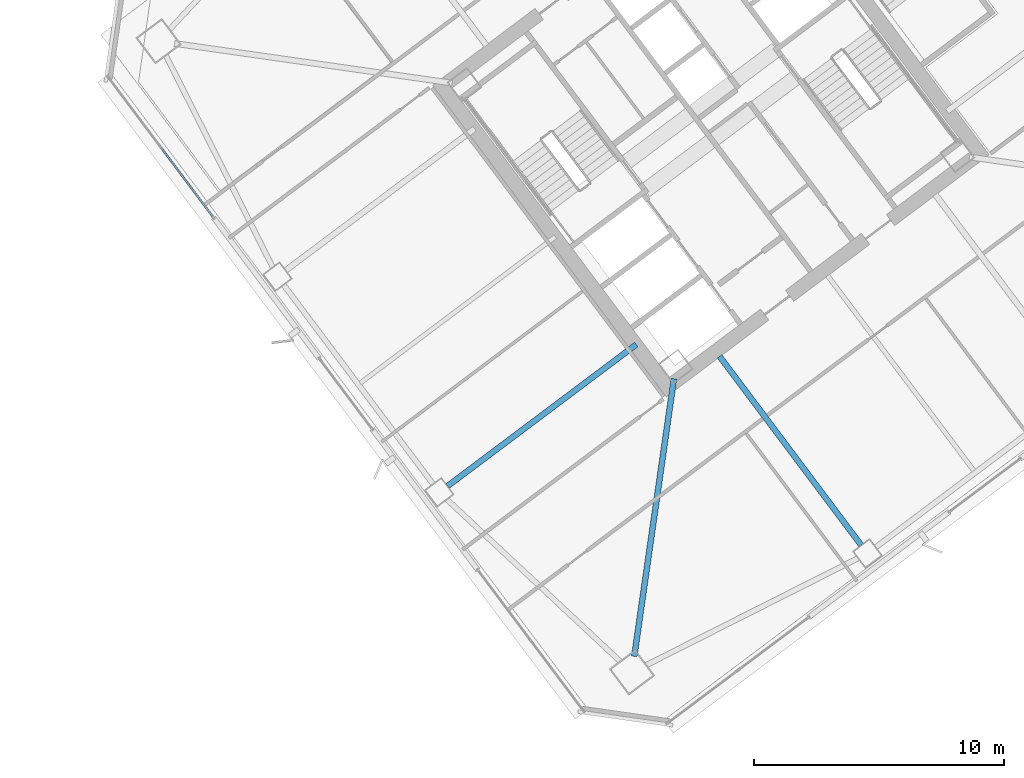
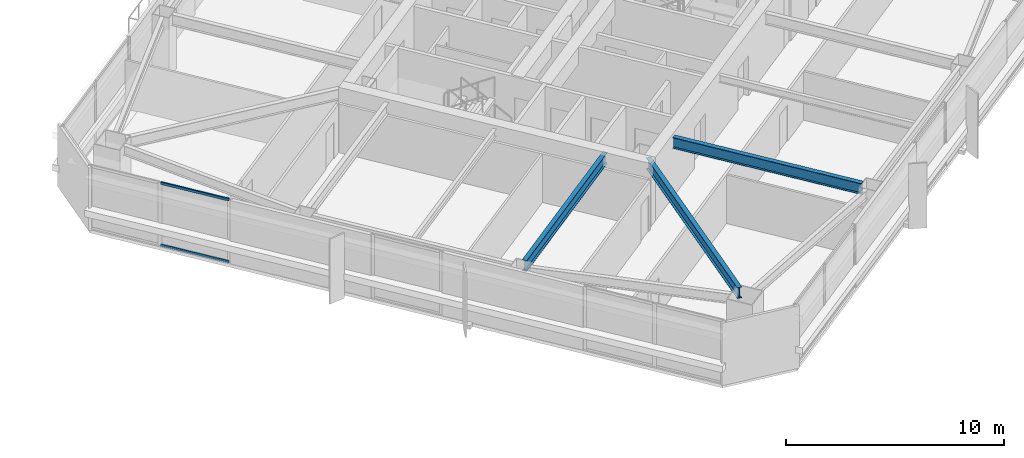
# One storey, part 22 of 48: 3 beams, 2 members, 1 element without a shape of its own.
"""IFC4 building model written with IfcOpenShell, lengths in metres."""

from ifc_helpers import new_model, si_unit, direction, frame, origin, origin_2d, place, context, subcontext, project, spatial, hollow_rectangle, i_section, extrude, material, material_profile, profile_set, type_object, element, aggregate, save


model = new_model("IFC4")

# Units and contexts
model_context = context("Model", 3, precision=1e-05, world=origin(), true_north=direction((0.0, 1.0)))
body_context = subcontext(model_context, "Body", "Model", "MODEL_VIEW")
ifc_project = project(units=[si_unit("LENGTHUNIT", "METRE"), si_unit("AREAUNIT", "SQUARE_METRE"), si_unit("VOLUMEUNIT", "CUBIC_METRE"), si_unit("PLANEANGLEUNIT", "RADIAN"), si_unit("MASSUNIT", "GRAM", prefix="KILO")], contexts=[model_context])

# Site, building, storey
site_placement = place(None, origin())
site = spatial("IfcSite", under=ifc_project, at=site_placement, CompositionType="ELEMENT")
building_placement = place(site_placement, origin())
building = spatial("IfcBuilding", under=site, at=building_placement, Name="Tashvorn Skyway Center", CompositionType="ELEMENT")
storey_placement = place(building_placement, frame((0.0, 0.0, 125.050048828125)))
storey = spatial("IfcBuildingStorey", under=building, at=storey_placement, Name="L33", CompositionType="ELEMENT", Elevation=125.050048828125)

# Beams
ifc_material_1 = material(Name="Steel ASTM A992 Grade 50", Category="steel")
ifc_material_profile_1 = material_profile(ifc_material_1, i_section(OverallWidth=0.22998046875, OverallDepth=0.616943359375, WebThickness=0.01318359375, FlangeThickness=0.022216796875, at=origin_2d()), Name="W24X94")
ifc_profile_set_1 = profile_set([ifc_material_profile_1], Name="Steel ASTM A992 Grade 50")
beam_type = type_object("IfcBeamType", Name="BM-BEAM-W24X94", PredefinedType="BEAM", material=ifc_profile_set_1)
beam_placement = place(storey_placement, frame((110.93115234375, 10.5185546875, 3.0615234375), z_axis=(0.141430483583, 0.989948189712, 0.0), x_axis=(-0.989948189712, 0.141430483583, 0.0)))
element("IfcBeam", 1, at=beam_placement, inside=storey, type_object=beam_type, Name="Tower 2 L33 Primary Floor Girder MC-SW", PredefinedType="BEAM", context=body_context, shape_type="SweptSolid", body=[
    extrude(i_section(OverallWidth=0.22998046875, OverallDepth=0.616943359375, WebThickness=0.01318359375, FlangeThickness=0.022216796875, at=origin_2d()), origin(), (0.0, 0.0, 1.0), 11.234375),
])
for number, where, z_axis, x_axis, name in (
    (2, (120.01806640625, 14.97607421875, 3.0615234375), (-0.600020667896, 0.799984498661, 0.0), (-0.799984498661, -0.600020667896, 0.0), "Tower 2 L33 Primary Floor Girder FC-S1"),
    (3, (103.4560546875, 17.342041015625, 3.0615234375), (0.800006200354, 0.599991732772, 0.0), (-0.599991732772, 0.800006200354, 0.0), "Tower 2 L33 Primary Floor Girder FC-W2"),
):
    element("IfcBeam", number, at=place(storey_placement, frame(where, z_axis=z_axis, x_axis=x_axis)), inside=storey, type_object=beam_type, Name=name, PredefinedType="BEAM", context=body_context, shape_type="SweptSolid", body=[
        extrude(i_section(OverallWidth=0.22998046875, OverallDepth=0.616943359375, WebThickness=0.01318359375, FlangeThickness=0.022216796875, at=origin_2d()), origin(), (0.0, 0.0, 1.0), 9.449951171875),
    ])

# Curtain wall, members
ifc_material_2 = material(Name="Thermally broken bronze-anodized aluminium 6063-T6", Category="aluminium")
curtain_wall_type = type_object("IfcCurtainWallType", Name="CW-CW-Z3", PredefinedType="NOTDEFINED", material=ifc_material_2)
curtain_wall_placement = place(storey_placement, origin())
curtain_wall = element("IfcCurtainWall", 4, at=curtain_wall_placement, inside=storey, type_object=curtain_wall_type, Name="Tower 2 L33 West Unitised Curtain Wall Glazing Group 3", PredefinedType="NOTDEFINED")
ifc_material_profile_2 = material_profile(ifc_material_2, hollow_rectangle(XDim=0.074951171875, YDim=0.139892578125, WallThickness=0.004150390625, at=origin_2d()), Name="ALU-TRAN-75x140")
ifc_profile_set_2 = profile_set([ifc_material_profile_2], Name="Thermally broken bronze-anodized aluminium 6063-T6")
member_type = type_object("IfcMemberType", Name="CWT-CW-Z3", PredefinedType="USERDEFINED", material=ifc_profile_set_2)
member_1_placement = place(storey_placement, frame((94.03759765625, 28.14990234375, 0.037353515625), z_axis=(-0.600022868659, 0.799982847995, 0.0), x_axis=(-0.799982847995, -0.600022868659, 0.0)))
member_1 = element("IfcMember", 5, at=member_1_placement, type_object=member_type, Name="CW-Z3 transom 1.1", ObjectType="TRANSOM", PredefinedType="USERDEFINED", context=body_context, shape_type="SweptSolid", body=[
    extrude(hollow_rectangle(XDim=0.074951171875, YDim=0.139892578125, WallThickness=0.004150390625, at=origin_2d()), origin(), (0.0, 0.0, 1.0), 3.416259765625),
])
member_2_placement = place(storey_placement, frame((94.03759765625, 28.14990234375, 3.512451171875), z_axis=(-0.600022868659, 0.799982847995, 0.0), x_axis=(-0.799982847995, -0.600022868659, 0.0)))
member_2 = element("IfcMember", 6, at=member_2_placement, type_object=member_type, Name="CW-Z3 transom 1.2", ObjectType="TRANSOM", PredefinedType="USERDEFINED", context=body_context, shape_type="SweptSolid", body=[
    extrude(hollow_rectangle(XDim=0.074951171875, YDim=0.139892578125, WallThickness=0.004150390625, at=origin_2d()), origin(), (0.0, 0.0, 1.0), 3.416259765625),
])
aggregate(curtain_wall, [member_1, member_2])

save(model, "model.ifc")
